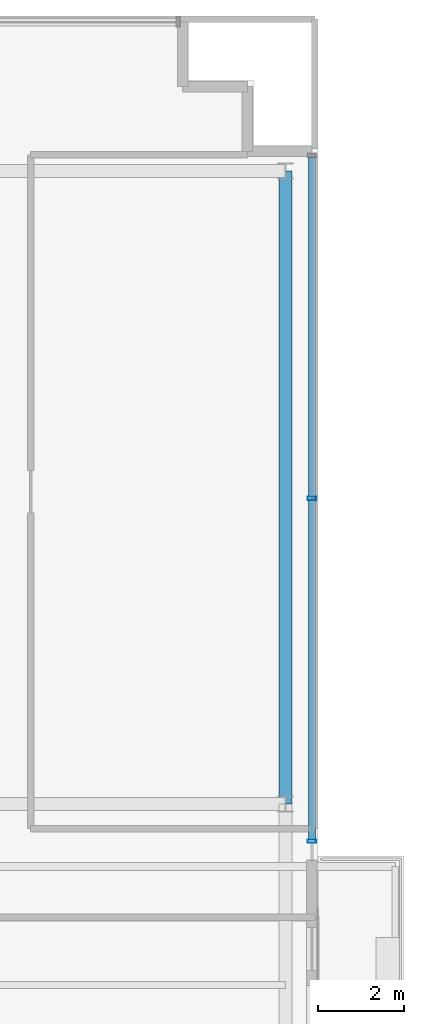
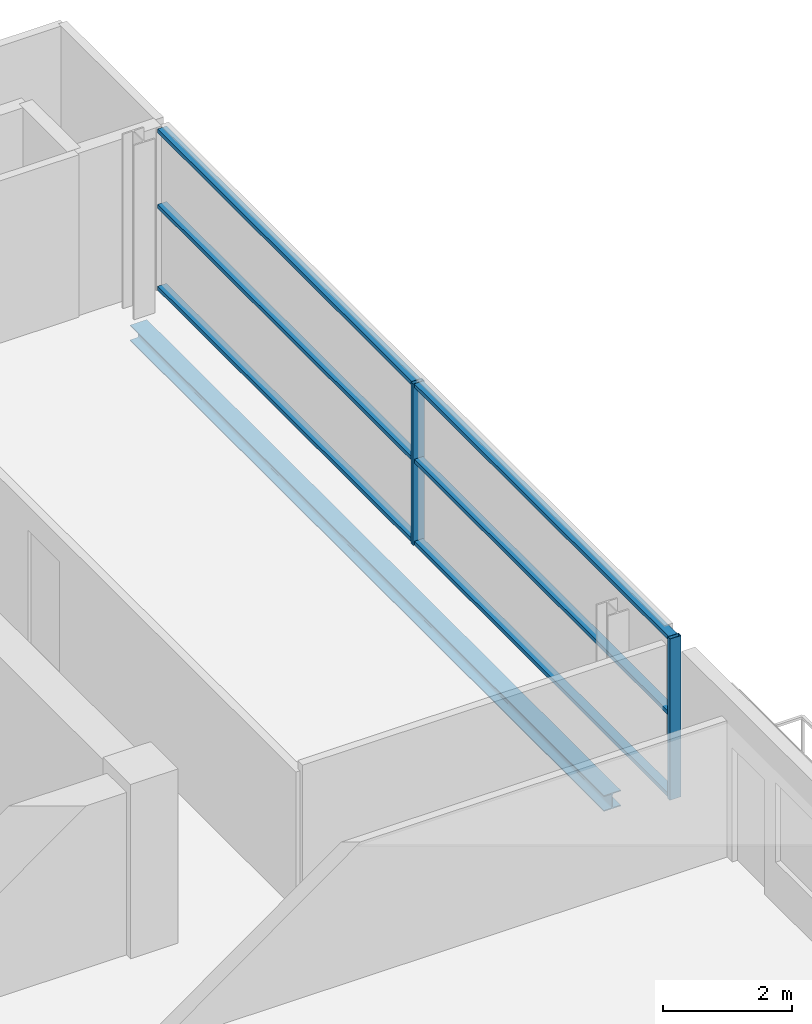
# One storey, part 9 of 22: 8 members, 1 beam, 1 element without a shape of its own.
"""IFC4 building model written with IfcOpenShell, lengths in metres."""

from ifc_helpers import new_model, si_unit, direction, frame, origin, origin_2d, place, context, subcontext, project, spatial, hollow_rectangle, i_section, extrude, source, transform, mapped, material, layer, layer_set, material_profile, profile_set, type_object, element, aggregate, save


model = new_model("IFC4")

# Units and contexts
model_context = context("Model", 3, precision=1e-05, world=origin(), true_north=direction((0.0, 1.0)))
body_context = subcontext(model_context, "Body", "Model", "MODEL_VIEW")
ifc_project = project(units=[si_unit("LENGTHUNIT", "METRE"), si_unit("AREAUNIT", "SQUARE_METRE"), si_unit("VOLUMEUNIT", "CUBIC_METRE"), si_unit("PLANEANGLEUNIT", "RADIAN"), si_unit("MASSUNIT", "GRAM", prefix="KILO")], contexts=[model_context])

# Site, building, storey
site_placement = place(None, origin())
site = spatial("IfcSite", under=ifc_project, at=site_placement, CompositionType="ELEMENT")
building_placement = place(site_placement, origin())
building = spatial("IfcBuilding", under=site, at=building_placement, Name="Zarnakvel Exchange Tower", CompositionType="ELEMENT")
storey_placement = place(building_placement, frame((0.0, 0.0, 238.60009765625)))
storey = spatial("IfcBuildingStorey", under=building, at=storey_placement, Name="L67", CompositionType="ELEMENT", Elevation=238.60009765625)

# Beam
ifc_material_1 = material(Name="Steel S355", Category="steel")
ifc_material_profile_1 = material_profile(ifc_material_1, i_section(OverallWidth=0.300048828125, OverallDepth=0.300048828125, WebThickness=0.010986328125, FlangeThickness=0.01904296875, FilletRadius=0.027099609375, at=origin_2d()))
ifc_profile_set_1 = profile_set([ifc_material_profile_1], Name="Steel S355")
beam_type = type_object("IfcBeamType", Name="SP-03", PredefinedType="SPANDREL", material=ifc_profile_set_1)
beam_placement = place(storey_placement, frame((22.85009765625, -1.199951171875, -0.375), z_axis=(0.0, 1.0, 0.0), x_axis=(-1.0, 0.0, 0.0)))
element("IfcBeam", 1, at=beam_placement, inside=storey, type_object=beam_type, Name="L67 Tower N-S Frame Beam", PredefinedType="SPANDREL", context=body_context, shape_type="SweptSolid", body=[
    extrude(i_section(OverallWidth=0.300048828125, OverallDepth=0.300048828125, WebThickness=0.010986328125, FlangeThickness=0.01904296875, FilletRadius=0.027099609375, at=origin_2d()), origin(), (0.0, 0.0, 1.0), 14.699951171875),
])

# Curtain wall, members
ifc_material_2 = material(Name="Architectural Bronze Anodised Aluminium", Category="aluminium")
ifc_layer = layer(ifc_material_2, 0.199951171875)
ifc_layer_set = layer_set([ifc_layer], Name="Architectural Bronze Anodised Aluminium")
curtain_wall_type = type_object("IfcCurtainWallType", Name="CW-04", PredefinedType="NOTDEFINED", material=ifc_layer_set)
curtain_wall_placement = place(storey_placement, origin())
curtain_wall = element("IfcCurtainWall", 2, at=curtain_wall_placement, inside=storey, type_object=curtain_wall_type, Name="L67 Curtain Wall CW-L67-EN (CW-04)", PredefinedType="NOTDEFINED")
ifc_material_profile_2 = material_profile(ifc_material_2, hollow_rectangle(XDim=0.199951171875, YDim=0.074951171875, WallThickness=0.0048828125, at=origin_2d()))
ifc_profile_set_2 = profile_set([ifc_material_profile_2], Name="Architectural Bronze Anodised Aluminium")
member_type_1 = type_object("IfcMemberType", Name="CWM-04", PredefinedType="MULLION", material=ifc_profile_set_2)
shared_shape_1 = source(origin(), body_context, "Body", "SweptSolid", [
    extrude(hollow_rectangle(XDim=0.199951171875, YDim=0.074951171875, WallThickness=0.0048828125, at=origin_2d()), origin(), (0.0, 0.0, 1.0), 3.054931640625),
])
member_1_placement = place(storey_placement, frame((23.4599609375, -2.0625, 0.0), z_axis=(0.0, 0.0, 1.0), x_axis=(-1.0, 0.0, 0.0)))
member_1 = element("IfcMember", 3, at=member_1_placement, type_object=member_type_1, Name="CW-04 mullion 1", PredefinedType="MULLION", context=body_context, shape_type="MappedRepresentation", body=[
    mapped(shared_shape_1, transform((0.0, 0.0, 0.0), x_axis=(1.0, 0.0, 0.0), y_axis=(0.0, 1.0, 0.0), z_axis=(0.0, 0.0, 1.0), scale=1.0)),
])
member_2_placement = place(storey_placement, frame((23.4599609375, 5.89990234375, 0.0), z_axis=(0.0, 0.0, 1.0), x_axis=(-1.0, 0.0, 0.0)))
member_2 = element("IfcMember", 4, at=member_2_placement, type_object=member_type_1, Name="CW-04 mullion 2", PredefinedType="MULLION", context=body_context, shape_type="MappedRepresentation", body=[
    mapped(shared_shape_1, transform((0.0, 0.0, 0.0), x_axis=(1.0, 0.0, 0.0), y_axis=(0.0, 1.0, 0.0), z_axis=(0.0, 0.0, 1.0), scale=1.0)),
])
ifc_material_profile_3 = material_profile(ifc_material_2, hollow_rectangle(XDim=0.159912109375, YDim=0.074951171875, WallThickness=0.00390625, at=origin_2d()))
ifc_profile_set_3 = profile_set([ifc_material_profile_3], Name="Architectural Bronze Anodised Aluminium")
member_type_2 = type_object("IfcMemberType", Name="CWT-04", PredefinedType="USERDEFINED", material=ifc_profile_set_3)
shared_shape_2 = source(origin(), body_context, "Body", "SweptSolid", [
    extrude(hollow_rectangle(XDim=0.159912109375, YDim=0.074951171875, WallThickness=0.00390625, at=origin_2d()), origin(), (0.0, 0.0, 1.0), 7.887451171875),
])
member_3_placement = place(storey_placement, frame((23.4599609375, -2.02490234375, 0.037353515625), z_axis=(0.0, 1.0, 0.0), x_axis=(-1.0, 0.0, 0.0)))
member_3 = element("IfcMember", 5, at=member_3_placement, type_object=member_type_2, Name="CW-04 transom 1.1", ObjectType="TRANSOM", PredefinedType="USERDEFINED", context=body_context, shape_type="MappedRepresentation", body=[
    mapped(shared_shape_2, transform((0.0, 0.0, 0.0), x_axis=(1.0, 0.0, 0.0), y_axis=(0.0, 1.0, 0.0), z_axis=(0.0, 0.0, 1.0), scale=1.0)),
])
member_4_placement = place(storey_placement, frame((23.4599609375, -2.02490234375, 1.588623046875), z_axis=(0.0, 1.0, 0.0), x_axis=(-1.0, 0.0, 0.0)))
member_4 = element("IfcMember", 6, at=member_4_placement, type_object=member_type_2, Name="CW-04 transom 1.2", ObjectType="TRANSOM", PredefinedType="USERDEFINED", context=body_context, shape_type="MappedRepresentation", body=[
    mapped(shared_shape_2, transform((0.0, 0.0, 0.0), x_axis=(1.0, 0.0, 0.0), y_axis=(0.0, 1.0, 0.0), z_axis=(0.0, 0.0, 1.0), scale=1.0)),
])
member_5_placement = place(storey_placement, frame((23.4599609375, -2.02490234375, 3.017333984375), z_axis=(0.0, 1.0, 0.0), x_axis=(-1.0, 0.0, 0.0)))
member_5 = element("IfcMember", 7, at=member_5_placement, type_object=member_type_2, Name="CW-04 transom 1.3", ObjectType="TRANSOM", PredefinedType="USERDEFINED", context=body_context, shape_type="MappedRepresentation", body=[
    mapped(shared_shape_2, transform((0.0, 0.0, 0.0), x_axis=(1.0, 0.0, 0.0), y_axis=(0.0, 1.0, 0.0), z_axis=(0.0, 0.0, 1.0), scale=1.0)),
])
member_6_placement = place(storey_placement, frame((23.4599609375, 5.9375, 0.037353515625), z_axis=(0.0, 1.0, 0.0), x_axis=(-1.0, 0.0, 0.0)))
member_6 = element("IfcMember", 8, at=member_6_placement, type_object=member_type_2, Name="CW-04 transom 2.1", ObjectType="TRANSOM", PredefinedType="USERDEFINED", context=body_context, shape_type="MappedRepresentation", body=[
    mapped(shared_shape_2, transform((0.0, 0.0, 0.0), x_axis=(1.0, 0.0, 0.0), y_axis=(0.0, 1.0, 0.0), z_axis=(0.0, 0.0, 1.0), scale=1.0)),
])
member_7_placement = place(storey_placement, frame((23.4599609375, 5.9375, 1.588623046875), z_axis=(0.0, 1.0, 0.0), x_axis=(-1.0, 0.0, 0.0)))
member_7 = element("IfcMember", 9, at=member_7_placement, type_object=member_type_2, Name="CW-04 transom 2.2", ObjectType="TRANSOM", PredefinedType="USERDEFINED", context=body_context, shape_type="MappedRepresentation", body=[
    mapped(shared_shape_2, transform((0.0, 0.0, 0.0), x_axis=(1.0, 0.0, 0.0), y_axis=(0.0, 1.0, 0.0), z_axis=(0.0, 0.0, 1.0), scale=1.0)),
])
member_8_placement = place(storey_placement, frame((23.4599609375, 5.9375, 3.017333984375), z_axis=(0.0, 1.0, 0.0), x_axis=(-1.0, 0.0, 0.0)))
member_8 = element("IfcMember", 10, at=member_8_placement, type_object=member_type_2, Name="CW-04 transom 2.3", ObjectType="TRANSOM", PredefinedType="USERDEFINED", context=body_context, shape_type="MappedRepresentation", body=[
    mapped(shared_shape_2, transform((0.0, 0.0, 0.0), x_axis=(1.0, 0.0, 0.0), y_axis=(0.0, 1.0, 0.0), z_axis=(0.0, 0.0, 1.0), scale=1.0)),
])
aggregate(curtain_wall, [member_1, member_2, member_3, member_4, member_5, member_6, member_7, member_8])

save(model, "model.ifc")
